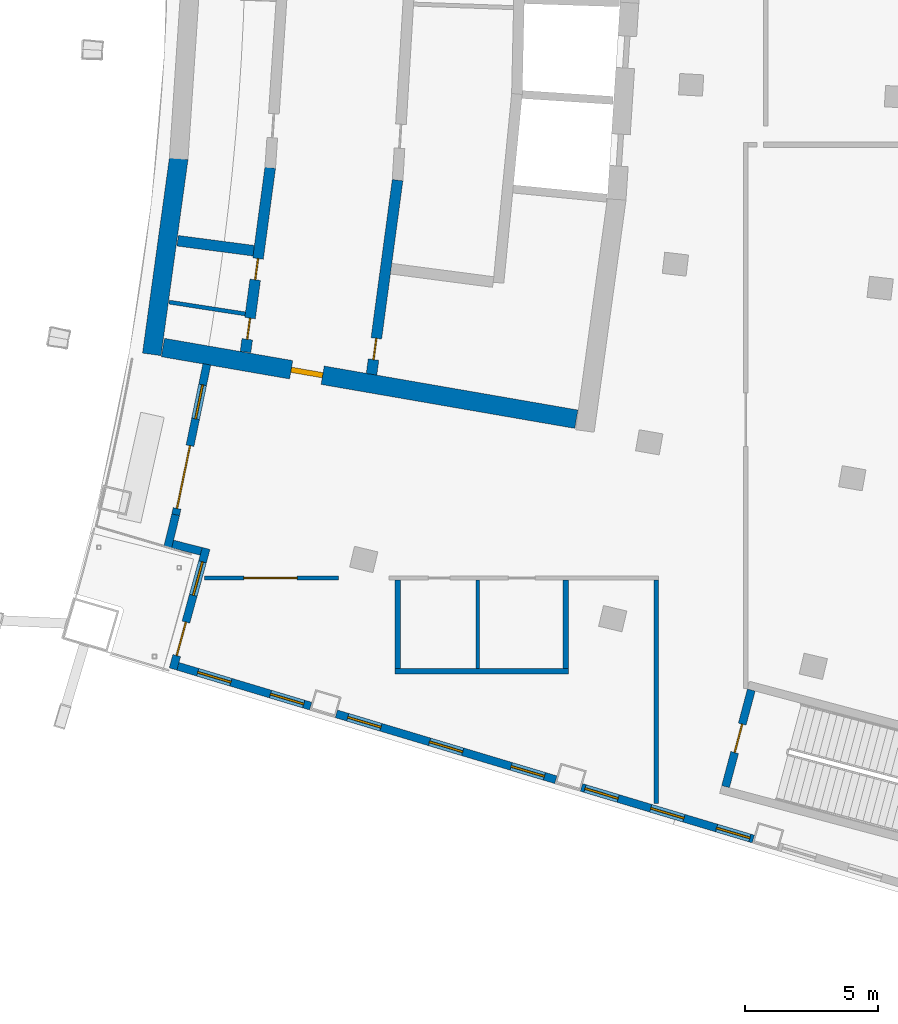
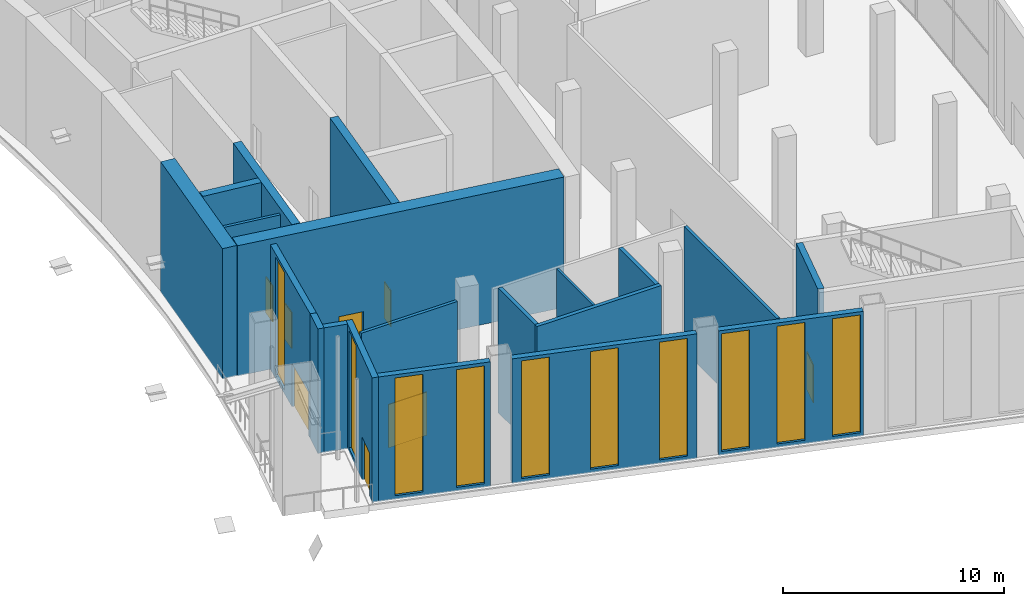
# One storey, part 15 of 26: 20 walls, 10 windows, 8 doors, 18 openings.
"""IFC4 building model written with IfcOpenShell, lengths in metres."""

from ifc_helpers import new_model, si_unit, direction, frame, frame_2d, origin, place, context, subcontext, project, spatial, rectangle, extrude, material, layer, layer_set, type_object, element, fill, save


model = new_model("IFC4")

# Units and contexts
model_context = context("Model", 3, precision=1e-05, world=origin(), true_north=direction((0.0, 1.0)))
body_context = subcontext(model_context, "Body", "Model", "MODEL_VIEW")
ifc_project = project(units=[si_unit("LENGTHUNIT", "METRE"), si_unit("AREAUNIT", "SQUARE_METRE"), si_unit("VOLUMEUNIT", "CUBIC_METRE"), si_unit("PLANEANGLEUNIT", "RADIAN"), si_unit("MASSUNIT", "GRAM", prefix="KILO")], contexts=[model_context])

# Site, building, storey
site_placement = place(None, origin())
site = spatial("IfcSite", under=ifc_project, at=site_placement, CompositionType="ELEMENT")
building_placement = place(site_placement, origin())
building = spatial("IfcBuilding", under=site, at=building_placement, Name="Alderwake Tower", CompositionType="ELEMENT")
storey_placement = place(building_placement, frame((0.0, 0.0, 182.0)))
storey = spatial("IfcBuildingStorey", under=building, at=storey_placement, Name="L45", CompositionType="ELEMENT", Elevation=182.0)

# Walls
ifc_material_1 = material(Name="Gypsum shaft wall system, rated")
ifc_layer_1 = layer(ifc_material_1, 0.14990234375)
ifc_layer_set_1 = layer_set([ifc_layer_1], Name="Core room partition 150")
wall_type_1 = type_object("IfcWallType", Name="Core room partition 150", PredefinedType="PARTITIONING", material=ifc_layer_set_1)
wall_1_placement = place(storey_placement, frame((16.024169921875, 46.097900390625, 0.0), z_axis=(0.0, 0.0, 1.0), x_axis=(0.988178321224, -0.153308856442, 0.0)))
element("IfcWall", 1, at=wall_1_placement, inside=storey, type_object=wall_type_1, Name="CW/L45/PR-161_+0", PredefinedType="PARTITIONING", context=body_context, shape_type="SweptSolid", body=[
    extrude(rectangle(XDim=2.88720703125, YDim=0.14990234375, at=frame_2d((1.443603515625, 0.0))), origin(), (0.0, 0.0, 1.0), 6.8798828125),
])
ifc_material_2 = material(Name="Concrete C70/85", Category="concrete")
ifc_layer_2 = layer(ifc_material_2, 0.699951171875)
ifc_layer_set_2 = layer_set([ifc_layer_2], Name="Core wall outer 700 C70-85")
wall_type_2 = type_object("IfcWallType", Name="Core wall outer 700 C70-85", PredefinedType="SHEAR", material=ifc_layer_set_2)
wall_2_placement = place(storey_placement, frame((15.370849609375, 44.1376953125, 0.0), z_axis=(0.0, 0.0, 1.0), x_axis=(0.136315619812, 0.99066545907, 0.0)))
element("IfcWall", 2, at=wall_2_placement, inside=storey, type_object=wall_type_2, Name="Core wall CW.042", PredefinedType="SHEAR", context=body_context, shape_type="SweptSolid", body=[
    extrude(rectangle(XDim=7.420166015625, YDim=0.699951171875, at=frame_2d((3.7099609375, 0.0))), origin(), (0.0, 0.0, 1.0), 7.199951171875),
])

# Wall, opening, door
wall_3_placement = place(storey_placement, frame((31.295654296875, 41.705810546875, 0.0), z_axis=(0.0, 0.0, 1.0), x_axis=(-0.985302589944, 0.170818050129, 0.0)))
wall_3 = element("IfcWall", 3, at=wall_3_placement, inside=storey, type_object=wall_type_2, Name="Core wall CW.072", PredefinedType="SHEAR", context=body_context, shape_type="SweptSolid", body=[
    extrude(rectangle(XDim=15.7373046875, YDim=0.699951171875, at=frame_2d((7.86865234375, 0.0))), origin(), (0.0, 0.0, 1.0), 7.199951171875),
])
opening_1_placement = place(wall_3_placement, frame((9.65576171875, 0.0, 0.0)))
opening_1 = element("IfcOpeningElement", 4, at=opening_1_placement, cuts=wall_3, Name="Opening C003", PredefinedType="OPENING", context=body_context, shape_type="SweptSolid", body=[
    extrude(rectangle(XDim=1.199951171875, YDim=2.10009765625, at=frame_2d((0.60009765625, 1.050048828125))), frame((0.0, 0.35986328125, 0.0), z_axis=(0.0, -1.0, 0.0), x_axis=(1.0, 0.0, 0.0)), (0.0, 0.0, 1.0), 0.719970703125),
])
ifc_material_3 = material(Name="Steel-framed fire door leaf", Category="steel")
door_type_1 = type_object("IfcDoorType", Name="Core lobby exit door 1200 fire-rated", OperationType="SINGLE_SWING_LEFT", PredefinedType="DOOR", material=ifc_material_3)
door_1_placement = place(opening_1_placement, origin())
door_1 = element("IfcDoor", 5, at=door_1_placement, inside=storey, type_object=door_type_1, Name="Lobby door", OperationType="SINGLE_SWING_LEFT", OverallHeight=2.10009765625, OverallWidth=1.199951171875, PredefinedType="DOOR", context=body_context, shape_type="SweptSolid", body=[
    extrude(rectangle(XDim=1.199951171875, YDim=2.10009765625, at=frame_2d((0.60009765625, 1.050048828125))), frame((0.0, 0.10009765625, 0.0), z_axis=(0.0, -1.0, 0.0), x_axis=(1.0, 0.0, 0.0)), (0.0, 0.0, 1.0), 0.199951171875),
])
fill(opening_1, door_1)

# Wall, openings, doors
ifc_material_4 = material(Name="Concrete C70/85", Category="concrete")
ifc_layer_3 = layer(ifc_material_4, 0.39990234375)
ifc_layer_set_3 = layer_set([ifc_layer_3], Name="Core wall spine 400 C70-85")
wall_type_3 = type_object("IfcWallType", Name="Core wall spine 400 C70-85", PredefinedType="SHEAR", material=ifc_layer_set_3)
wall_4_placement = place(storey_placement, frame((19.814697265625, 51.143798828125, 0.0), z_axis=(0.0, 0.0, 1.0), x_axis=(-0.132864871698, -0.991134161387, 0.0)))
wall_4 = element("IfcWall", 6, at=wall_4_placement, inside=storey, type_object=wall_type_3, Name="Core wall CW.033", PredefinedType="SHEAR", context=body_context, shape_type="SweptSolid", body=[
    extrude(rectangle(XDim=6.978759765625, YDim=0.39990234375, at=frame_2d((3.4892578125, 0.0))), origin(), (0.0, 0.0, 1.0), 7.199951171875),
])
opening_2_placement = place(wall_4_placement, frame((5.69677734375, 0.0, 0.0)))
opening_2 = element("IfcOpeningElement", 7, at=opening_2_placement, cuts=wall_4, Name="Opening C009", PredefinedType="OPENING", context=body_context, shape_type="SweptSolid", body=[
    extrude(rectangle(XDim=0.800048828125, YDim=2.0, at=frame_2d((0.39990234375, 1.0))), frame((0.0, 0.2099609375, 0.0), z_axis=(0.0, -1.0, 0.0), x_axis=(1.0, 0.0, 0.0)), (0.0, 0.0, 1.0), 0.419921875),
])
opening_3_placement = place(wall_4_placement, frame((3.443115234375, 0.0, 0.0)))
opening_3 = element("IfcOpeningElement", 8, at=opening_3_placement, cuts=wall_4, Name="Opening C010", PredefinedType="OPENING", context=body_context, shape_type="SweptSolid", body=[
    extrude(rectangle(XDim=0.800048828125, YDim=2.0, at=frame_2d((0.39990234375, 1.0))), frame((0.0, 0.2099609375, 0.0), z_axis=(0.0, -1.0, 0.0), x_axis=(1.0, 0.0, 0.0)), (0.0, 0.0, 1.0), 0.419921875),
])
ifc_material_5 = material(Name="Painted steel leaf, rated", Category="steel")
door_type_2 = type_object("IfcDoorType", Name="Riser access door 800", OperationType="SINGLE_SWING_LEFT", PredefinedType="DOOR", material=ifc_material_5)
door_2_placement = place(opening_2_placement, origin())
door_2 = element("IfcDoor", 9, at=door_2_placement, inside=storey, type_object=door_type_2, Name="Riser access door", OperationType="SINGLE_SWING_LEFT", OverallHeight=2.0, OverallWidth=0.800048828125, PredefinedType="DOOR", context=body_context, shape_type="SweptSolid", body=[
    extrude(rectangle(XDim=0.800048828125, YDim=2.0, at=frame_2d((0.39990234375, 1.0))), frame((0.0, 0.02490234375, 0.0), z_axis=(0.0, -1.0, 0.0), x_axis=(1.0, 0.0, 0.0)), (0.0, 0.0, 1.0), 0.050048828125),
])
fill(opening_2, door_2)
door_3_placement = place(opening_3_placement, origin())
door_3 = element("IfcDoor", 10, at=door_3_placement, inside=storey, type_object=door_type_2, Name="Riser access door", OperationType="SINGLE_SWING_RIGHT", OverallHeight=2.0, OverallWidth=0.800048828125, PredefinedType="DOOR", context=body_context, shape_type="SweptSolid", body=[
    extrude(rectangle(XDim=0.800048828125, YDim=2.0, at=frame_2d((0.39990234375, 1.0))), frame((0.0, 0.02490234375, 0.0), z_axis=(0.0, -1.0, 0.0), x_axis=(1.0, 0.0, 0.0)), (0.0, 0.0, 1.0), 0.050048828125),
])
fill(opening_3, door_3)

# Wall, opening, door
wall_5_placement = place(storey_placement, frame((23.6142578125, 43.390869140625, 0.0), z_axis=(0.0, 0.0, 1.0), x_axis=(0.133023466616, 0.991112888287, 0.0)))
wall_5 = element("IfcWall", 11, at=wall_5_placement, inside=storey, type_object=wall_type_3, Name="Core wall CW.047", PredefinedType="SHEAR", context=body_context, shape_type="SweptSolid", body=[
    extrude(rectangle(XDim=7.3466796875, YDim=0.39990234375, at=frame_2d((3.67333984375, 0.0))), origin(), (0.0, 0.0, 1.0), 7.199951171875),
])
opening_4_placement = place(wall_5_placement, frame((0.557861328125, 0.0, 0.0)))
opening_4 = element("IfcOpeningElement", 12, at=opening_4_placement, cuts=wall_5, Name="Opening C013", PredefinedType="OPENING", context=body_context, shape_type="SweptSolid", body=[
    extrude(rectangle(XDim=0.800048828125, YDim=2.0, at=frame_2d((0.39990234375, 1.0))), frame((0.0, 0.2099609375, 0.0), z_axis=(0.0, -1.0, 0.0), x_axis=(1.0, 0.0, 0.0)), (0.0, 0.0, 1.0), 0.419921875),
])
door_4_placement = place(opening_4_placement, origin())
door_4 = element("IfcDoor", 13, at=door_4_placement, inside=storey, type_object=door_type_2, Name="Riser access door", OperationType="SINGLE_SWING_LEFT", OverallHeight=2.0, OverallWidth=0.800048828125, PredefinedType="DOOR", context=body_context, shape_type="SweptSolid", body=[
    extrude(rectangle(XDim=0.800048828125, YDim=2.0, at=frame_2d((0.39990234375, 1.0))), frame((0.0, 0.02490234375, 0.0), z_axis=(0.0, -1.0, 0.0), x_axis=(1.0, 0.0, 0.0)), (0.0, 0.0, 1.0), 0.050048828125),
])
fill(opening_4, door_4)

# Wall
wall_6_placement = place(storey_placement, frame((16.3408203125, 48.3994140625, 0.0), z_axis=(0.0, 0.0, 1.0), x_axis=(0.991544987266, -0.129763393253, 0.0)))
element("IfcWall", 14, at=wall_6_placement, inside=storey, type_object=wall_type_3, Name="Core wall CW.067", PredefinedType="SHEAR", context=body_context, shape_type="SweptSolid", body=[
    extrude(rectangle(XDim=2.878662109375, YDim=0.39990234375, at=frame_2d((1.439453125, 0.0))), origin(), (0.0, 0.0, 1.0), 7.199951171875),
])

# Wall, opening, door
ifc_material_6 = material(Name="Concrete C70/85", Category="concrete")
ifc_layer_4 = layer(ifc_material_6, 0.300048828125)
ifc_layer_set_4 = layer_set([ifc_layer_4], Name="Core wall stair enclosure 300 C70-85")
wall_type_4 = type_object("IfcWallType", Name="Core wall stair enclosure 300 C70-85", PredefinedType="SHEAR", material=ifc_layer_set_4)
wall_7_placement = place(storey_placement, frame((36.89501953125, 27.923828125, 0.0), z_axis=(0.0, 0.0, 1.0), x_axis=(0.257350630826, 0.966318090907, 0.0)))
wall_7 = element("IfcWall", 15, at=wall_7_placement, inside=storey, type_object=wall_type_4, Name="Core wall CW.087", PredefinedType="SHEAR", context=body_context, shape_type="SweptSolid", body=[
    extrude(rectangle(XDim=3.75, YDim=0.300048828125, at=frame_2d((1.875, 0.0))), origin(), (0.0, 0.0, 1.0), 7.199951171875),
])
opening_5_placement = place(wall_7_placement, frame((1.324951171875, 0.0, 0.0)))
opening_5 = element("IfcOpeningElement", 16, at=opening_5_placement, cuts=wall_7, Name="Opening C065", PredefinedType="OPENING", context=body_context, shape_type="SweptSolid", body=[
    extrude(rectangle(XDim=1.10009765625, YDim=2.10009765625, at=frame_2d((0.550048828125, 1.050048828125))), frame((0.0, 0.159912109375, 0.0), z_axis=(0.0, -1.0, 0.0), x_axis=(1.0, 0.0, 0.0)), (0.0, 0.0, 1.0), 0.320068359375),
])
ifc_material_7 = material(Name="Steel-framed fire door leaf", Category="steel")
door_type_3 = type_object("IfcDoorType", Name="Core stair door 1100 fire-rated", OperationType="SINGLE_SWING_LEFT", PredefinedType="DOOR", material=ifc_material_7)
door_5_placement = place(opening_5_placement, origin())
door_5 = element("IfcDoor", 17, at=door_5_placement, inside=storey, type_object=door_type_3, Name="Stair door", OperationType="SINGLE_SWING_LEFT", OverallHeight=2.10009765625, OverallWidth=1.10009765625, PredefinedType="DOOR", context=body_context, shape_type="SweptSolid", body=[
    extrude(rectangle(XDim=1.10009765625, YDim=2.10009765625, at=frame_2d((0.550048828125, 1.050048828125))), frame((0.0, 0.02490234375, 0.0), z_axis=(0.0, -1.0, 0.0), x_axis=(1.0, 0.0, 0.0)), (0.0, 0.0, 1.0), 0.050048828125),
])
fill(opening_5, door_5)

ifc_material_8 = material(Name="Gypsum board on metal studs, rated")
ifc_layer_5 = layer(ifc_material_8, 0.159912109375)
ifc_layer_set_5 = layer_set([ifc_layer_5], Name="Corridor wall 160")
wall_type_5 = type_object("IfcWallType", Name="Corridor wall 160", PredefinedType="PARTITIONING", material=ifc_layer_set_5)
wall_8_placement = place(storey_placement, frame((17.356689453125, 35.7509765625, 0.0), z_axis=(0.0, 0.0, 1.0), x_axis=(1.0, 0.0, 0.0)))
wall_8 = element("IfcWall", 18, at=wall_8_placement, inside=storey, type_object=wall_type_5, Name="WL/L45/W10", PredefinedType="PARTITIONING", context=body_context, shape_type="SweptSolid", body=[
    extrude(rectangle(XDim=5.0263671875, YDim=0.159912109375, at=frame_2d((2.51318359375, 0.0))), origin(), (0.0, 0.0, 1.0), 6.8798828125),
])
opening_6_placement = place(wall_8_placement, frame((1.467041015625, 0.0, 0.0)))
opening_6 = element("IfcOpeningElement", 19, at=opening_6_placement, cuts=wall_8, Name="Opening L45-05", PredefinedType="OPENING", context=body_context, shape_type="SweptSolid", body=[
    extrude(rectangle(XDim=2.0, YDim=2.39990234375, at=frame_2d((1.0, 1.199951171875))), frame((0.0, 0.08984375, 0.0), z_axis=(0.0, -1.0, 0.0), x_axis=(1.0, 0.0, 0.0)), (0.0, 0.0, 1.0), 0.179931640625),
])
ifc_material_9 = material(Name="Timber leaves with glazed panels", Category="wood")
door_type_4 = type_object("IfcDoorType", Name="Hall double door 2000", OperationType="DOUBLE_DOOR_SINGLE_SWING", PredefinedType="DOOR", material=ifc_material_9)
door_6_placement = place(opening_6_placement, origin())
door_6 = element("IfcDoor", 20, at=door_6_placement, inside=storey, type_object=door_type_4, Name="DR/L45/05", OperationType="DOUBLE_DOOR_SINGLE_SWING", OverallHeight=2.39990234375, OverallWidth=2.0, PredefinedType="DOOR", context=body_context, shape_type="SweptSolid", body=[
    extrude(rectangle(XDim=2.0, YDim=2.39990234375, at=frame_2d((1.0, 1.199951171875))), frame((0.0, 0.02490234375, 0.0), z_axis=(0.0, -1.0, 0.0), x_axis=(1.0, 0.0, 0.0)), (0.0, 0.0, 1.0), 0.050048828125),
])
fill(opening_6, door_6)

# Wall
wall_9_placement = place(storey_placement, frame((34.299072265625, 35.6708984375, 0.0), z_axis=(0.0, 0.0, 1.0), x_axis=(0.0, -1.0, 0.0)))
element("IfcWall", 21, at=wall_9_placement, inside=storey, type_object=wall_type_5, Name="WL/L45/W14", PredefinedType="PARTITIONING", context=body_context, shape_type="SweptSolid", body=[
    extrude(rectangle(XDim=8.38037109375, YDim=0.159912109375, at=frame_2d((4.190185546875, 0.0))), origin(), (0.0, 0.0, 1.0), 6.8798828125),
])

# Wall, openings, door, window
ifc_material_10 = material(Name="Precast concrete C50/60 spandrel panel", Category="concrete")
ifc_layer_6 = layer(ifc_material_10, 0.300048828125)
ifc_layer_set_6 = layer_set([ifc_layer_6], Name="External wall EW1 Precast concrete C50/60 spandrel")
wall_type_6 = type_object("IfcWallType", Name="External wall EW1 Precast concrete C50/60 spandrel", PredefinedType="SOLIDWALL", material=ifc_layer_set_6)
wall_10_placement = place(storey_placement, frame((17.43701171875, 43.763427734375, 0.0), z_axis=(0.0, 0.0, 1.0), x_axis=(-0.202777963217, -0.979224743169, 0.0)))
wall_10 = element("IfcWall", 22, at=wall_10_placement, inside=storey, type_object=wall_type_6, Name="External wall 3", PredefinedType="SOLIDWALL", context=body_context, shape_type="SweptSolid", body=[
    extrude(rectangle(XDim=5.760986328125, YDim=0.300048828125, at=frame_2d((2.88037109375, 0.0))), origin(), (0.0, 0.0, 1.0), 6.8798828125),
])
opening_7_placement = place(wall_10_placement, frame((0.784912109375, 0.0, 0.199951171875)))
opening_7 = element("IfcOpeningElement", 23, at=opening_7_placement, cuts=wall_10, Name="Opening W5", PredefinedType="OPENING", context=body_context, shape_type="SweptSolid", body=[
    extrude(rectangle(XDim=1.300048828125, YDim=6.5, at=frame_2d((0.64990234375, 3.25))), frame((0.0, 0.159912109375, 0.0), z_axis=(0.0, -1.0, 0.0), x_axis=(1.0, 0.0, 0.0)), (0.0, 0.0, 1.0), 0.320068359375),
])
opening_8_placement = place(wall_10_placement, frame((3.118896484375, 0.0, 0.0)))
opening_8 = element("IfcOpeningElement", 24, at=opening_8_placement, cuts=wall_10, Name="Opening D01", PredefinedType="OPENING", context=body_context, shape_type="SweptSolid", body=[
    extrude(rectangle(XDim=2.39990234375, YDim=2.39990234375, at=frame_2d((1.199951171875, 1.199951171875))), frame((0.0, 0.159912109375, 0.0), z_axis=(0.0, -1.0, 0.0), x_axis=(1.0, 0.0, 0.0)), (0.0, 0.0, 1.0), 0.320068359375),
])
ifc_material_11 = material(Name="Bronze tinted glass in aluminium frame", Category="aluminium")
door_type_5 = type_object("IfcDoorType", Name="Garden door GD sliding", OperationType="DOUBLE_DOOR_SINGLE_SWING", PredefinedType="DOOR", material=ifc_material_11)
door_7_placement = place(opening_8_placement, origin())
door_7 = element("IfcDoor", 25, at=door_7_placement, inside=storey, type_object=door_type_5, Name="Door D01", OperationType="DOUBLE_DOOR_SINGLE_SWING", OverallHeight=2.39990234375, OverallWidth=2.39990234375, PredefinedType="DOOR", context=body_context, shape_type="SweptSolid", body=[
    extrude(rectangle(XDim=2.39990234375, YDim=2.39990234375, at=frame_2d((1.199951171875, 1.199951171875))), frame((0.0, 0.02490234375, 0.0), z_axis=(0.0, -1.0, 0.0), x_axis=(1.0, 0.0, 0.0)), (0.0, 0.0, 1.0), 0.050048828125),
])
fill(opening_8, door_7)
ifc_material_12 = material(Name="Bronze tinted glass in aluminium frame", Category="aluminium")
window_type = type_object("IfcWindowType", Name="Window W5 garden floor tall", PartitioningType="SINGLE_PANEL", PredefinedType="WINDOW", material=ifc_material_12)
window_1_placement = place(opening_7_placement, origin())
window_1 = element("IfcWindow", 26, at=window_1_placement, inside=storey, type_object=window_type, Name="Window W5 garden floor tall", OverallHeight=6.5, OverallWidth=1.300048828125, PartitioningType="SINGLE_PANEL", PredefinedType="WINDOW", context=body_context, shape_type="SweptSolid", body=[
    extrude(rectangle(XDim=1.300048828125, YDim=6.5, at=frame_2d((0.64990234375, 3.25))), frame((0.0, 0.030029296875, 0.0), z_axis=(0.0, -1.0, 0.0), x_axis=(1.0, 0.0, 0.0)), (0.0, 0.0, 1.0), 0.06005859375),
])
fill(opening_7, window_1)

# Walls
wall_11_placement = place(storey_placement, frame((16.2685546875, 38.120361328125, 0.0), z_axis=(0.0, 0.0, 1.0), x_axis=(-0.238280960487, -0.971196264341, 0.0)))
element("IfcWall", 27, at=wall_11_placement, inside=storey, type_object=wall_type_6, Name="External wall 4", PredefinedType="SOLIDWALL", context=body_context, shape_type="SweptSolid", body=[
    extrude(rectangle(XDim=1.242919921875, YDim=0.300048828125, at=frame_2d((0.62158203125, 0.0))), origin(), (0.0, 0.0, 1.0), 6.8798828125),
])
ifc_material_13 = material(Name="Bronze metal cladding on lightweight framing")
ifc_layer_7 = layer(ifc_material_13, 0.300048828125)
ifc_layer_set_7 = layer_set([ifc_layer_7], Name="External wall EW2 bronze metal cladding")
wall_type_7 = type_object("IfcWallType", Name="External wall EW2 bronze metal cladding", PredefinedType="SOLIDWALL", material=ifc_layer_set_7)
wall_12_placement = place(storey_placement, frame((16.153564453125, 37.022216796875, 0.0), z_axis=(0.0, 0.0, 1.0), x_axis=(0.969436987534, -0.245340431241, 0.0)))
element("IfcWall", 28, at=wall_12_placement, inside=storey, type_object=wall_type_7, Name="External wall 5", PredefinedType="SOLIDWALL", context=body_context, shape_type="SweptSolid", body=[
    extrude(rectangle(XDim=1.10546875, YDim=0.300048828125, at=frame_2d((0.552734375, 0.0))), origin(), (0.0, 0.0, 1.0), 6.8798828125),
])

# Wall, openings, door, window
wall_13_placement = place(storey_placement, frame((17.410400390625, 36.85888671875, 0.0), z_axis=(0.0, 0.0, 1.0), x_axis=(-0.264592640785, -0.96436027212, 0.0)))
wall_13 = element("IfcWall", 29, at=wall_13_placement, inside=storey, type_object=wall_type_7, Name="External wall 6", PredefinedType="SOLIDWALL", context=body_context, shape_type="SweptSolid", body=[
    extrude(rectangle(XDim=4.690185546875, YDim=0.300048828125, at=frame_2d((2.34521484375, 0.0))), origin(), (0.0, 0.0, 1.0), 6.8798828125),
])
opening_9_placement = place(wall_13_placement, frame((0.5224609375, 0.0, 0.199951171875)))
opening_9 = element("IfcOpeningElement", 30, at=opening_9_placement, cuts=wall_13, Name="Opening W5", PredefinedType="OPENING", context=body_context, shape_type="SweptSolid", body=[
    extrude(rectangle(XDim=1.300048828125, YDim=6.5, at=frame_2d((0.64990234375, 3.25))), frame((0.0, 0.159912109375, 0.0), z_axis=(0.0, -1.0, 0.0), x_axis=(1.0, 0.0, 0.0)), (0.0, 0.0, 1.0), 0.320068359375),
])
opening_10_placement = place(wall_13_placement, frame((2.867431640625, 0.0, 0.0)))
opening_10 = element("IfcOpeningElement", 31, at=opening_10_placement, cuts=wall_13, Name="Opening D02", PredefinedType="OPENING", context=body_context, shape_type="SweptSolid", body=[
    extrude(rectangle(XDim=1.300048828125, YDim=2.39990234375, at=frame_2d((0.64990234375, 1.199951171875))), frame((0.0, 0.159912109375, 0.0), z_axis=(0.0, -1.0, 0.0), x_axis=(1.0, 0.0, 0.0)), (0.0, 0.0, 1.0), 0.320068359375),
])
ifc_material_14 = material(Name="Bronze tinted glass in aluminium frame", Category="aluminium")
door_type_6 = type_object("IfcDoorType", Name="Balcony door BD sliding", OperationType="SLIDING_TO_LEFT", PredefinedType="DOOR", material=ifc_material_14)
door_8_placement = place(opening_10_placement, origin())
door_8 = element("IfcDoor", 32, at=door_8_placement, inside=storey, type_object=door_type_6, Name="Door D02", OperationType="SLIDING_TO_LEFT", OverallHeight=2.39990234375, OverallWidth=1.300048828125, PredefinedType="DOOR", context=body_context, shape_type="SweptSolid", body=[
    extrude(rectangle(XDim=1.300048828125, YDim=2.39990234375, at=frame_2d((0.64990234375, 1.199951171875))), frame((0.0, 0.02490234375, 0.0), z_axis=(0.0, -1.0, 0.0), x_axis=(1.0, 0.0, 0.0)), (0.0, 0.0, 1.0), 0.050048828125),
])
fill(opening_10, door_8)
window_2_placement = place(opening_9_placement, origin())
window_2 = element("IfcWindow", 33, at=window_2_placement, inside=storey, type_object=window_type, Name="Window W5 garden floor tall", OverallHeight=6.5, OverallWidth=1.300048828125, PartitioningType="SINGLE_PANEL", PredefinedType="WINDOW", context=body_context, shape_type="SweptSolid", body=[
    extrude(rectangle(XDim=1.300048828125, YDim=6.5, at=frame_2d((0.64990234375, 3.25))), frame((0.0, 0.030029296875, 0.0), z_axis=(0.0, -1.0, 0.0), x_axis=(1.0, 0.0, 0.0)), (0.0, 0.0, 1.0), 0.06005859375),
])
fill(opening_9, window_2)

# Wall, openings, windows
wall_14_placement = place(storey_placement, frame((16.352783203125, 32.4375, 0.0), z_axis=(0.0, 0.0, 1.0), x_axis=(0.95776681843, -0.287546033732, 0.0)))
wall_14 = element("IfcWall", 34, at=wall_14_placement, inside=storey, type_object=wall_type_7, Name="External wall 7", PredefinedType="SOLIDWALL", context=body_context, shape_type="SweptSolid", body=[
    extrude(rectangle(XDim=5.199462890625, YDim=0.300048828125, at=frame_2d((2.599609375, 0.0))), origin(), (0.0, 0.0, 1.0), 6.8798828125),
])
opening_11_placement = place(wall_14_placement, frame((0.775390625, 0.0, 0.199951171875)))
opening_11 = element("IfcOpeningElement", 35, at=opening_11_placement, cuts=wall_14, Name="Opening W5", PredefinedType="OPENING", context=body_context, shape_type="SweptSolid", body=[
    extrude(rectangle(XDim=1.300048828125, YDim=6.5, at=frame_2d((0.64990234375, 3.25))), frame((0.0, 0.159912109375, 0.0), z_axis=(0.0, -1.0, 0.0), x_axis=(1.0, 0.0, 0.0)), (0.0, 0.0, 1.0), 0.320068359375),
])
opening_12_placement = place(wall_14_placement, frame((3.626220703125, 0.0, 0.199951171875)))
opening_12 = element("IfcOpeningElement", 36, at=opening_12_placement, cuts=wall_14, Name="Opening W5", PredefinedType="OPENING", context=body_context, shape_type="SweptSolid", body=[
    extrude(rectangle(XDim=1.300048828125, YDim=6.5, at=frame_2d((0.64990234375, 3.25))), frame((0.0, 0.159912109375, 0.0), z_axis=(0.0, -1.0, 0.0), x_axis=(1.0, 0.0, 0.0)), (0.0, 0.0, 1.0), 0.320068359375),
])
window_3_placement = place(opening_11_placement, origin())
window_3 = element("IfcWindow", 37, at=window_3_placement, inside=storey, type_object=window_type, Name="Window W5 garden floor tall", OverallHeight=6.5, OverallWidth=1.300048828125, PartitioningType="SINGLE_PANEL", PredefinedType="WINDOW", context=body_context, shape_type="SweptSolid", body=[
    extrude(rectangle(XDim=1.300048828125, YDim=6.5, at=frame_2d((0.64990234375, 3.25))), frame((0.0, 0.030029296875, 0.0), z_axis=(0.0, -1.0, 0.0), x_axis=(1.0, 0.0, 0.0)), (0.0, 0.0, 1.0), 0.06005859375),
])
fill(opening_11, window_3)
window_4_placement = place(opening_12_placement, origin())
window_4 = element("IfcWindow", 38, at=window_4_placement, inside=storey, type_object=window_type, Name="Window W5 garden floor tall", OverallHeight=6.5, OverallWidth=1.300048828125, PartitioningType="SINGLE_PANEL", PredefinedType="WINDOW", context=body_context, shape_type="SweptSolid", body=[
    extrude(rectangle(XDim=1.300048828125, YDim=6.5, at=frame_2d((0.64990234375, 3.25))), frame((0.0, 0.030029296875, 0.0), z_axis=(0.0, -1.0, 0.0), x_axis=(1.0, 0.0, 0.0)), (0.0, 0.0, 1.0), 0.06005859375),
])
fill(opening_12, window_4)

wall_15_placement = place(storey_placement, frame((22.294677734375, 30.653564453125, 0.0), z_axis=(0.0, 0.0, 1.0), x_axis=(0.957768419769, -0.287540699891, 0.0)))
wall_15 = element("IfcWall", 39, at=wall_15_placement, inside=storey, type_object=wall_type_7, Name="External wall 8", PredefinedType="SOLIDWALL", context=body_context, shape_type="SweptSolid", body=[
    extrude(rectangle(XDim=8.595947265625, YDim=0.300048828125, at=frame_2d((4.2978515625, 0.0))), origin(), (0.0, 0.0, 1.0), 6.8798828125),
])
opening_13_placement = place(wall_15_placement, frame((0.44775390625, 0.0, 0.199951171875)))
opening_13 = element("IfcOpeningElement", 40, at=opening_13_placement, cuts=wall_15, Name="Opening W5", PredefinedType="OPENING", context=body_context, shape_type="SweptSolid", body=[
    extrude(rectangle(XDim=1.300048828125, YDim=6.5, at=frame_2d((0.64990234375, 3.25))), frame((0.0, 0.159912109375, 0.0), z_axis=(0.0, -1.0, 0.0), x_axis=(1.0, 0.0, 0.0)), (0.0, 0.0, 1.0), 0.320068359375),
])
opening_14_placement = place(wall_15_placement, frame((3.647705078125, 0.0, 0.199951171875)))
opening_14 = element("IfcOpeningElement", 41, at=opening_14_placement, cuts=wall_15, Name="Opening W5", PredefinedType="OPENING", context=body_context, shape_type="SweptSolid", body=[
    extrude(rectangle(XDim=1.300048828125, YDim=6.5, at=frame_2d((0.64990234375, 3.25))), frame((0.0, 0.159912109375, 0.0), z_axis=(0.0, -1.0, 0.0), x_axis=(1.0, 0.0, 0.0)), (0.0, 0.0, 1.0), 0.320068359375),
])
opening_15_placement = place(wall_15_placement, frame((6.847900390625, 0.0, 0.199951171875)))
opening_15 = element("IfcOpeningElement", 42, at=opening_15_placement, cuts=wall_15, Name="Opening W5", PredefinedType="OPENING", context=body_context, shape_type="SweptSolid", body=[
    extrude(rectangle(XDim=1.300048828125, YDim=6.5, at=frame_2d((0.64990234375, 3.25))), frame((0.0, 0.159912109375, 0.0), z_axis=(0.0, -1.0, 0.0), x_axis=(1.0, 0.0, 0.0)), (0.0, 0.0, 1.0), 0.320068359375),
])
window_5_placement = place(opening_13_placement, origin())
window_5 = element("IfcWindow", 43, at=window_5_placement, inside=storey, type_object=window_type, Name="Window W5 garden floor tall", OverallHeight=6.5, OverallWidth=1.300048828125, PartitioningType="SINGLE_PANEL", PredefinedType="WINDOW", context=body_context, shape_type="SweptSolid", body=[
    extrude(rectangle(XDim=1.300048828125, YDim=6.5, at=frame_2d((0.64990234375, 3.25))), frame((0.0, 0.030029296875, 0.0), z_axis=(0.0, -1.0, 0.0), x_axis=(1.0, 0.0, 0.0)), (0.0, 0.0, 1.0), 0.06005859375),
])
fill(opening_13, window_5)
window_6_placement = place(opening_14_placement, origin())
window_6 = element("IfcWindow", 44, at=window_6_placement, inside=storey, type_object=window_type, Name="Window W5 garden floor tall", OverallHeight=6.5, OverallWidth=1.300048828125, PartitioningType="SINGLE_PANEL", PredefinedType="WINDOW", context=body_context, shape_type="SweptSolid", body=[
    extrude(rectangle(XDim=1.300048828125, YDim=6.5, at=frame_2d((0.64990234375, 3.25))), frame((0.0, 0.030029296875, 0.0), z_axis=(0.0, -1.0, 0.0), x_axis=(1.0, 0.0, 0.0)), (0.0, 0.0, 1.0), 0.06005859375),
])
fill(opening_14, window_6)
window_7_placement = place(opening_15_placement, origin())
window_7 = element("IfcWindow", 45, at=window_7_placement, inside=storey, type_object=window_type, Name="Window W5 garden floor tall", OverallHeight=6.5, OverallWidth=1.300048828125, PartitioningType="SINGLE_PANEL", PredefinedType="WINDOW", context=body_context, shape_type="SweptSolid", body=[
    extrude(rectangle(XDim=1.300048828125, YDim=6.5, at=frame_2d((0.64990234375, 3.25))), frame((0.0, 0.030029296875, 0.0), z_axis=(0.0, -1.0, 0.0), x_axis=(1.0, 0.0, 0.0)), (0.0, 0.0, 1.0), 0.06005859375),
])
fill(opening_15, window_7)

wall_16_placement = place(storey_placement, frame((31.4892578125, 27.89306640625, 0.0), z_axis=(0.0, 0.0, 1.0), x_axis=(0.957766354081, -0.287547580396, 0.0)))
wall_16 = element("IfcWall", 46, at=wall_16_placement, inside=storey, type_object=wall_type_7, Name="External wall 9", PredefinedType="SOLIDWALL", context=body_context, shape_type="SweptSolid", body=[
    extrude(rectangle(XDim=6.7294921875, YDim=0.300048828125, at=frame_2d((3.36474609375, 0.0))), origin(), (0.0, 0.0, 1.0), 6.8798828125),
])
opening_16_placement = place(wall_16_placement, frame((0.13671875, 0.0, 0.199951171875)))
opening_16 = element("IfcOpeningElement", 47, at=opening_16_placement, cuts=wall_16, Name="Opening W5", PredefinedType="OPENING", context=body_context, shape_type="SweptSolid", body=[
    extrude(rectangle(XDim=1.300048828125, YDim=6.5, at=frame_2d((0.64990234375, 3.25))), frame((0.0, 0.159912109375, 0.0), z_axis=(0.0, -1.0, 0.0), x_axis=(1.0, 0.0, 0.0)), (0.0, 0.0, 1.0), 0.320068359375),
])
opening_17_placement = place(wall_16_placement, frame((2.714599609375, 0.0, 0.199951171875)))
opening_17 = element("IfcOpeningElement", 48, at=opening_17_placement, cuts=wall_16, Name="Opening W5", PredefinedType="OPENING", context=body_context, shape_type="SweptSolid", body=[
    extrude(rectangle(XDim=1.300048828125, YDim=6.5, at=frame_2d((0.64990234375, 3.25))), frame((0.0, 0.159912109375, 0.0), z_axis=(0.0, -1.0, 0.0), x_axis=(1.0, 0.0, 0.0)), (0.0, 0.0, 1.0), 0.320068359375),
])
opening_18_placement = place(wall_16_placement, frame((5.29248046875, 0.0, 0.199951171875)))
opening_18 = element("IfcOpeningElement", 49, at=opening_18_placement, cuts=wall_16, Name="Opening W5", PredefinedType="OPENING", context=body_context, shape_type="SweptSolid", body=[
    extrude(rectangle(XDim=1.300048828125, YDim=6.5, at=frame_2d((0.64990234375, 3.25))), frame((0.0, 0.159912109375, 0.0), z_axis=(0.0, -1.0, 0.0), x_axis=(1.0, 0.0, 0.0)), (0.0, 0.0, 1.0), 0.320068359375),
])
window_8_placement = place(opening_16_placement, origin())
window_8 = element("IfcWindow", 50, at=window_8_placement, inside=storey, type_object=window_type, Name="Window W5 garden floor tall", OverallHeight=6.5, OverallWidth=1.300048828125, PartitioningType="SINGLE_PANEL", PredefinedType="WINDOW", context=body_context, shape_type="SweptSolid", body=[
    extrude(rectangle(XDim=1.300048828125, YDim=6.5, at=frame_2d((0.64990234375, 3.25))), frame((0.0, 0.030029296875, 0.0), z_axis=(0.0, -1.0, 0.0), x_axis=(1.0, 0.0, 0.0)), (0.0, 0.0, 1.0), 0.06005859375),
])
fill(opening_16, window_8)
window_9_placement = place(opening_17_placement, origin())
window_9 = element("IfcWindow", 51, at=window_9_placement, inside=storey, type_object=window_type, Name="Window W5 garden floor tall", OverallHeight=6.5, OverallWidth=1.300048828125, PartitioningType="SINGLE_PANEL", PredefinedType="WINDOW", context=body_context, shape_type="SweptSolid", body=[
    extrude(rectangle(XDim=1.300048828125, YDim=6.5, at=frame_2d((0.64990234375, 3.25))), frame((0.0, 0.030029296875, 0.0), z_axis=(0.0, -1.0, 0.0), x_axis=(1.0, 0.0, 0.0)), (0.0, 0.0, 1.0), 0.06005859375),
])
fill(opening_17, window_9)
window_10_placement = place(opening_18_placement, origin())
window_10 = element("IfcWindow", 52, at=window_10_placement, inside=storey, type_object=window_type, Name="Window W5 garden floor tall", OverallHeight=6.5, OverallWidth=1.300048828125, PartitioningType="SINGLE_PANEL", PredefinedType="WINDOW", context=body_context, shape_type="SweptSolid", body=[
    extrude(rectangle(XDim=1.300048828125, YDim=6.5, at=frame_2d((0.64990234375, 3.25))), frame((0.0, 0.030029296875, 0.0), z_axis=(0.0, -1.0, 0.0), x_axis=(1.0, 0.0, 0.0)), (0.0, 0.0, 1.0), 0.06005859375),
])
fill(opening_18, window_10)

# Walls
ifc_material_15 = material(Name="Dense block masonry wall", Category="masonry")
ifc_layer_8 = layer(ifc_material_15, 0.199951171875)
ifc_layer_set_8 = layer_set([ifc_layer_8], Name="Party wall 200")
wall_type_8 = type_object("IfcWallType", Name="Party wall 200", PredefinedType="SOLIDWALL", material=ifc_layer_set_8)
wall_17_placement = place(storey_placement, frame((24.5, 32.25, 0.0), z_axis=(0.0, 0.0, 1.0), x_axis=(1.0, 0.0, 0.0)))
element("IfcWall", 53, at=wall_17_placement, inside=storey, type_object=wall_type_8, Name="WL/L45/W01", PredefinedType="SOLIDWALL", context=body_context, shape_type="SweptSolid", body=[
    extrude(rectangle(XDim=6.5, YDim=0.199951171875, at=frame_2d((3.25, 0.0))), origin(), (0.0, 0.0, 1.0), 6.8798828125),
])
for number, where, z_axis, x_axis, name in (
    (54, (24.60009765625, 35.6708984375, 0.0), (0.0, 0.0, 1.0), (0.0, -1.0, 0.0), "WL/L45/W02"),
    (55, (30.89990234375, 32.35009765625, 0.0), (0.0, 0.0, 1.0), (0.0, 1.0, 0.0), "WL/L45/W06"),
):
    element("IfcWall", number, at=place(storey_placement, frame(where, z_axis=z_axis, x_axis=x_axis)), inside=storey, type_object=wall_type_8, Name=name, PredefinedType="SOLIDWALL", context=body_context, shape_type="SweptSolid", body=[
        extrude(rectangle(XDim=3.32080078125, YDim=0.199951171875, at=frame_2d((1.660400390625, 0.0))), origin(), (0.0, 0.0, 1.0), 6.8798828125),
    ])
ifc_material_16 = material(Name="Moisture resistant gypsum board on metal studs")
ifc_layer_9 = layer(ifc_material_16, 0.1201171875)
ifc_layer_set_9 = layer_set([ifc_layer_9], Name="Wet room partition 120")
wall_type_9 = type_object("IfcWallType", Name="Wet room partition 120", PredefinedType="PARTITIONING", material=ifc_layer_set_9)
wall_18_placement = place(storey_placement, frame((27.60009765625, 32.35009765625, 0.0), z_axis=(0.0, 0.0, 1.0), x_axis=(0.0, 1.0, 0.0)))
element("IfcWall", 56, at=wall_18_placement, inside=storey, type_object=wall_type_9, Name="WL/L45/W21", PredefinedType="PARTITIONING", context=body_context, shape_type="SweptSolid", body=[
    extrude(rectangle(XDim=3.32080078125, YDim=0.1201171875, at=frame_2d((1.660400390625, 0.0))), origin(), (0.0, 0.0, 1.0), 6.8798828125),
])

save(model, "model.ifc")
